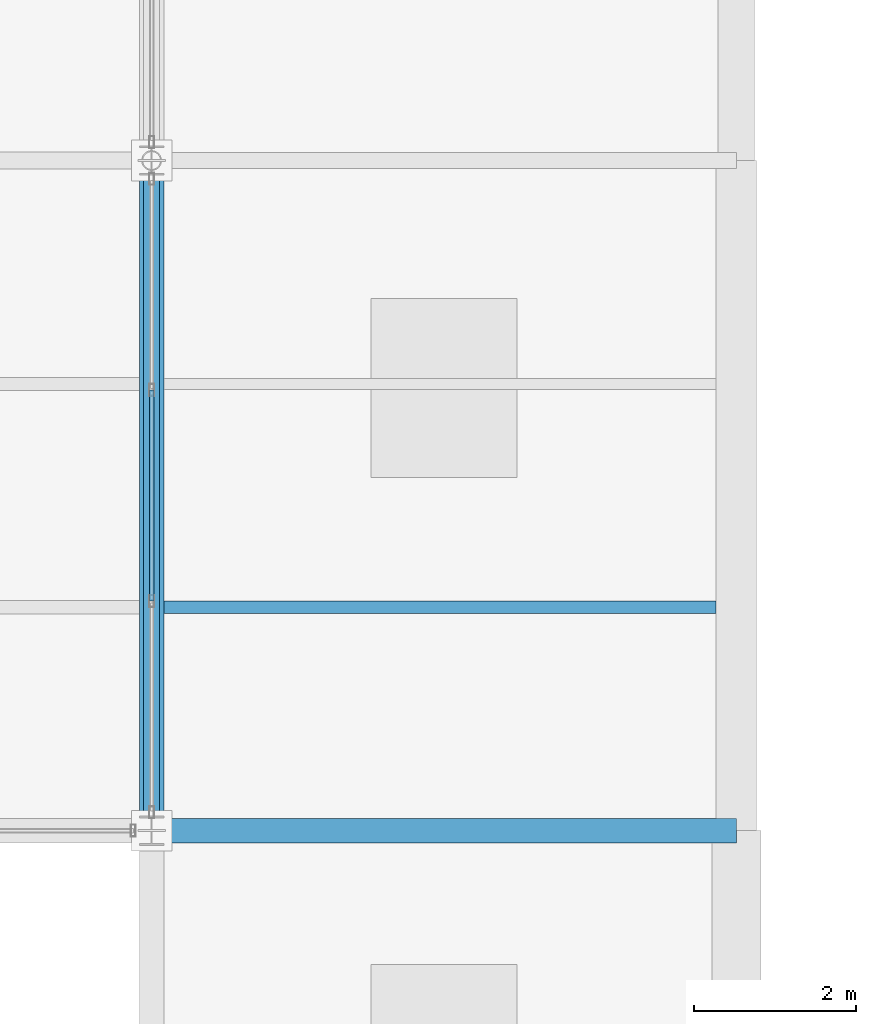
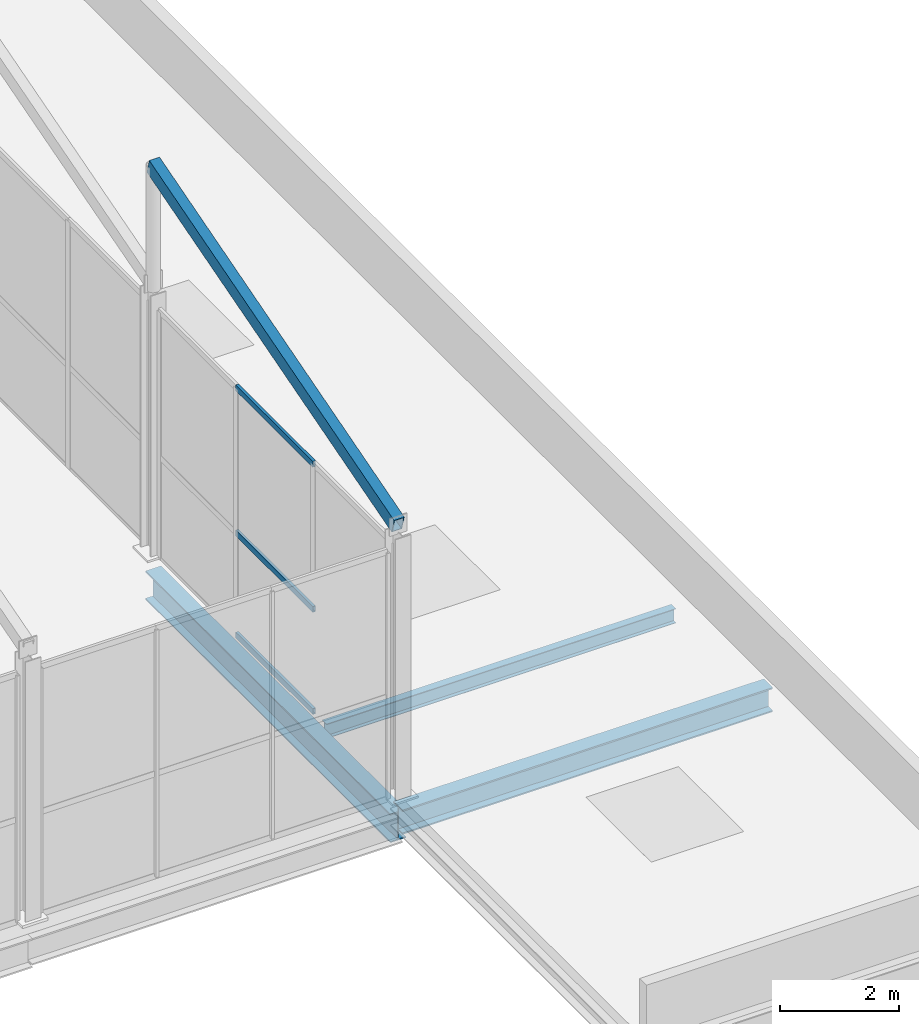
# One storey, part 64 of 141: 4 members, 3 beams, 1 element without a shape of its own.
"""IFC4 building model written with IfcOpenShell, lengths in metres."""

from ifc_helpers import new_model, si_unit, direction, frame, origin, origin_2d, place, context, subcontext, project, spatial, hollow_rectangle, i_section, extrude, material, layer, layer_set, material_profile, profile_set, type_object, element, aggregate, save


model = new_model("IFC4")

# Units and contexts
model_context = context("Model", 3, precision=1e-05, world=origin(), true_north=direction((0.0, 1.0)))
body_context = subcontext(model_context, "Body", "Model", "MODEL_VIEW")
ifc_project = project(units=[si_unit("LENGTHUNIT", "METRE"), si_unit("AREAUNIT", "SQUARE_METRE"), si_unit("VOLUMEUNIT", "CUBIC_METRE"), si_unit("PLANEANGLEUNIT", "RADIAN"), si_unit("MASSUNIT", "GRAM", prefix="KILO")], contexts=[model_context])

# Site, building, storey
site_placement = place(None, origin())
site = spatial("IfcSite", under=ifc_project, at=site_placement, CompositionType="ELEMENT")
building_placement = place(site_placement, origin())
building = spatial("IfcBuilding", under=site, at=building_placement, Name="Sundgate Opera House", CompositionType="ELEMENT")
storey_placement = place(building_placement, frame((0.0, 0.0, 11.39990234375)))
storey = spatial("IfcBuildingStorey", under=building, at=storey_placement, Name="L02", CompositionType="ELEMENT", Elevation=11.39990234375)

# Beams
ifc_material_1 = material(Name="Steel S355J2", Category="steel")
ifc_material_profile_1 = material_profile(ifc_material_1, i_section(OverallWidth=0.300048828125, OverallDepth=0.590087890625, WebThickness=0.012939453125, FlangeThickness=0.02490234375, at=origin_2d()), Name="HEA 600")
ifc_profile_set_1 = profile_set([ifc_material_profile_1], Name="Steel S355J2")
beam_type_1 = type_object("IfcBeamType", Name="BM-GR-HEA600", PredefinedType="BEAM", material=ifc_profile_set_1)
beam_1_placement = place(storey_placement, frame((153.0, 8.25, -0.64501953125), z_axis=(0.0, 1.0, 0.0), x_axis=(-1.0, 0.0, 0.0)))
element("IfcBeam", 1, at=beam_1_placement, inside=storey, type_object=beam_type_1, Name="L02 Primary N-S Girder B1931", PredefinedType="BEAM", context=body_context, shape_type="SweptSolid", body=[
    extrude(i_section(OverallWidth=0.300048828125, OverallDepth=0.590087890625, WebThickness=0.012939453125, FlangeThickness=0.02490234375, at=origin_2d()), origin(), (0.0, 0.0, 1.0), 8.25),
])
ifc_material_2 = material(Name="Steel S355J2", Category="steel")
ifc_material_profile_2 = material_profile(ifc_material_2, i_section(OverallWidth=0.300048828125, OverallDepth=0.5, WebThickness=0.014404296875, FlangeThickness=0.028076171875, at=origin_2d()), Name="HEB 500")
ifc_profile_set_2 = profile_set([ifc_material_profile_2], Name="Steel S355J2")
beam_type_2 = type_object("IfcBeamType", Name="BM-GR-HEB500", PredefinedType="BEAM", material=ifc_profile_set_2)
beam_2_placement = place(storey_placement, frame((153.0, 8.25, -0.47998046875), z_axis=(1.0, 0.0, 0.0), x_axis=(0.0, 1.0, 0.0)))
element("IfcBeam", 2, at=beam_2_placement, inside=storey, type_object=beam_type_2, Name="L02 Primary E-W Girder B1971", PredefinedType="BEAM", context=body_context, shape_type="SweptSolid", body=[
    extrude(i_section(OverallWidth=0.300048828125, OverallDepth=0.5, WebThickness=0.014404296875, FlangeThickness=0.028076171875, at=origin_2d()), origin(), (0.0, 0.0, 1.0), 7.199951171875),
])
ifc_material_3 = material(Name="Steel S355J2", Category="steel")
ifc_material_profile_3 = material_profile(ifc_material_3, i_section(OverallWidth=0.14990234375, OverallDepth=0.300048828125, WebThickness=0.007080078125, FlangeThickness=0.0107421875, at=origin_2d()), Name="IPE 300")
ifc_profile_set_3 = profile_set([ifc_material_profile_3], Name="Steel S355J2")
beam_type_3 = type_object("IfcBeamType", Name="BM-JS-IPE300", PredefinedType="JOIST", material=ifc_profile_set_3)
beam_3_placement = place(storey_placement, frame((153.14990234375, 11.0, -0.3798828125), z_axis=(1.0, 0.0, 0.0), x_axis=(0.0, 1.0, 0.0)))
element("IfcBeam", 3, at=beam_3_placement, inside=storey, type_object=beam_type_3, Name="L02 Secondary Floor Joist B2161", PredefinedType="JOIST", context=body_context, shape_type="SweptSolid", body=[
    extrude(i_section(OverallWidth=0.14990234375, OverallDepth=0.300048828125, WebThickness=0.007080078125, FlangeThickness=0.0107421875, at=origin_2d()), origin(), (0.0, 0.0, 1.0), 6.800048828125),
])

# Curtain wall, members
ifc_material_4 = material(Name="Anodized aluminium and low-iron glass", Category="aluminium")
ifc_layer = layer(ifc_material_4, 0.14990234375)
ifc_layer_set = layer_set([ifc_layer], Name="Anodized aluminium and low-iron glass")
curtain_wall_type = type_object("IfcCurtainWallType", Name="CW-WORKSHOP-DARK", PredefinedType="NOTDEFINED", material=ifc_layer_set)
curtain_wall_placement = place(storey_placement, origin())
curtain_wall = element("IfcCurtainWall", 4, at=curtain_wall_placement, inside=storey, type_object=curtain_wall_type, Name="L02 Curtain Wall CW165", PredefinedType="NOTDEFINED")
ifc_material_5 = material(Name="Anodized aluminium EN AW-6063", Category="aluminium")
ifc_material_profile_4 = material_profile(ifc_material_5, hollow_rectangle(XDim=0.054931640625, YDim=0.1201171875, WallThickness=0.00390625, at=origin_2d()), Name="CWT 120x55x4")
ifc_profile_set_4 = profile_set([ifc_material_profile_4], Name="Anodized aluminium EN AW-6063")
member_type_1 = type_object("IfcMemberType", Name="CWT-ALU-120x55", PredefinedType="USERDEFINED", material=ifc_profile_set_4)
member_1_placement = place(storey_placement, frame((153.0, 11.074951171875, 0.0), z_axis=(0.0, 1.0, 0.0), x_axis=(-1.0, 0.0, 0.0)))
member_1 = element("IfcMember", 5, at=member_1_placement, type_object=member_type_1, Name="CW165 Transom 4", ObjectType="TRANSOM", PredefinedType="USERDEFINED", context=body_context, shape_type="SweptSolid", body=[
    extrude(hollow_rectangle(XDim=0.054931640625, YDim=0.1201171875, WallThickness=0.00390625, at=origin_2d()), origin(), (0.0, 0.0, 1.0), 2.60009765625),
])
member_2_placement = place(storey_placement, frame((153.0, 11.074951171875, 2.10009765625), z_axis=(0.0, 1.0, 0.0), x_axis=(-1.0, 0.0, 0.0)))
member_2 = element("IfcMember", 6, at=member_2_placement, type_object=member_type_1, Name="CW165 Transom 5", ObjectType="TRANSOM", PredefinedType="USERDEFINED", context=body_context, shape_type="SweptSolid", body=[
    extrude(hollow_rectangle(XDim=0.054931640625, YDim=0.1201171875, WallThickness=0.00390625, at=origin_2d()), origin(), (0.0, 0.0, 1.0), 2.60009765625),
])
member_3_placement = place(storey_placement, frame((153.0, 11.074951171875, 5.085205078125), z_axis=(0.0, 1.0, 0.0), x_axis=(-1.0, 0.0, 0.0)))
member_3 = element("IfcMember", 7, at=member_3_placement, type_object=member_type_1, Name="CW165 Transom 6", ObjectType="TRANSOM", PredefinedType="USERDEFINED", context=body_context, shape_type="SweptSolid", body=[
    extrude(hollow_rectangle(XDim=0.054931640625, YDim=0.1201171875, WallThickness=0.00390625, at=origin_2d()), origin(), (0.0, 0.0, 1.0), 2.60009765625),
])
aggregate(curtain_wall, [member_1, member_2, member_3])

# Member
ifc_material_6 = material(Name="Steel S355J2", Category="steel")
ifc_material_profile_5 = material_profile(ifc_material_6, hollow_rectangle(XDim=0.199951171875, YDim=0.300048828125, WallThickness=0.012451171875, at=origin_2d()), Name="RHS 300x200x12.5")
ifc_profile_set_5 = profile_set([ifc_material_profile_5], Name="Steel S355J2")
member_type_2 = type_object("IfcMemberType", Name="MB-CHORD-RHS300", PredefinedType="CHORD", material=ifc_profile_set_5)
member_4_placement = place(storey_placement, frame((153.0, 8.25, 5.550048828125), z_axis=(0.0, 0.96019072379, 0.279345259398), x_axis=(-1.0, 0.0, 0.0)))
element("IfcMember", 8, at=member_4_placement, inside=storey, type_object=member_type_2, Name="L02 Sawtooth Rafter M0397", PredefinedType="CHORD", context=body_context, shape_type="SweptSolid", body=[
    extrude(hollow_rectangle(XDim=0.199951171875, YDim=0.300048828125, WallThickness=0.012451171875, at=origin_2d()), origin(), (0.0, 0.0, 1.0), 8.592041015625),
])

save(model, "model.ifc")
